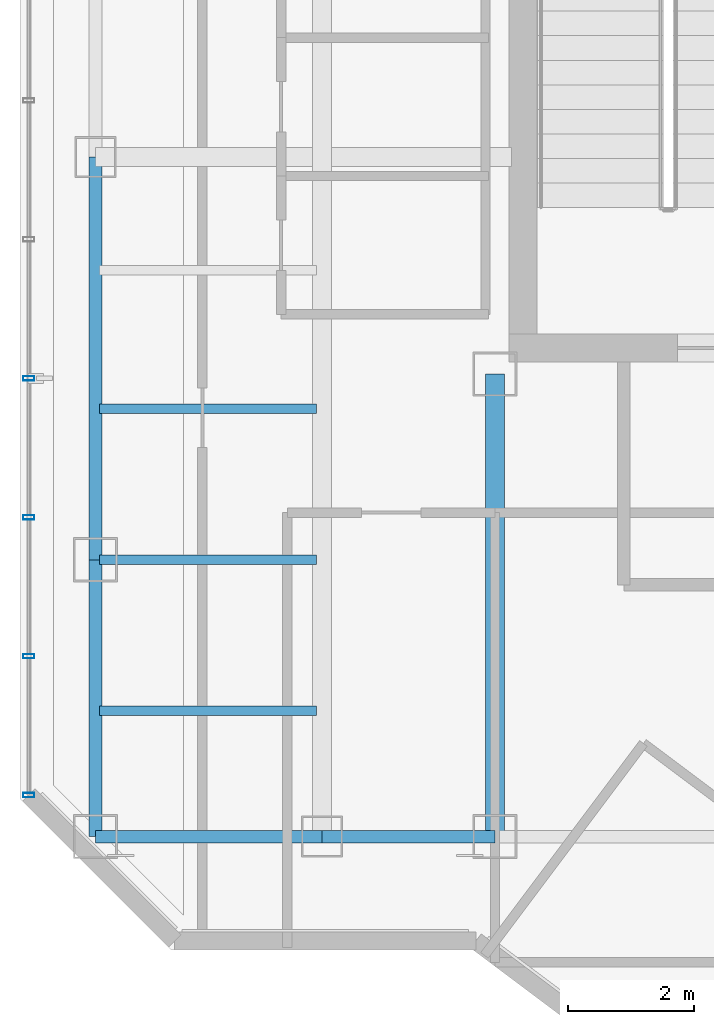
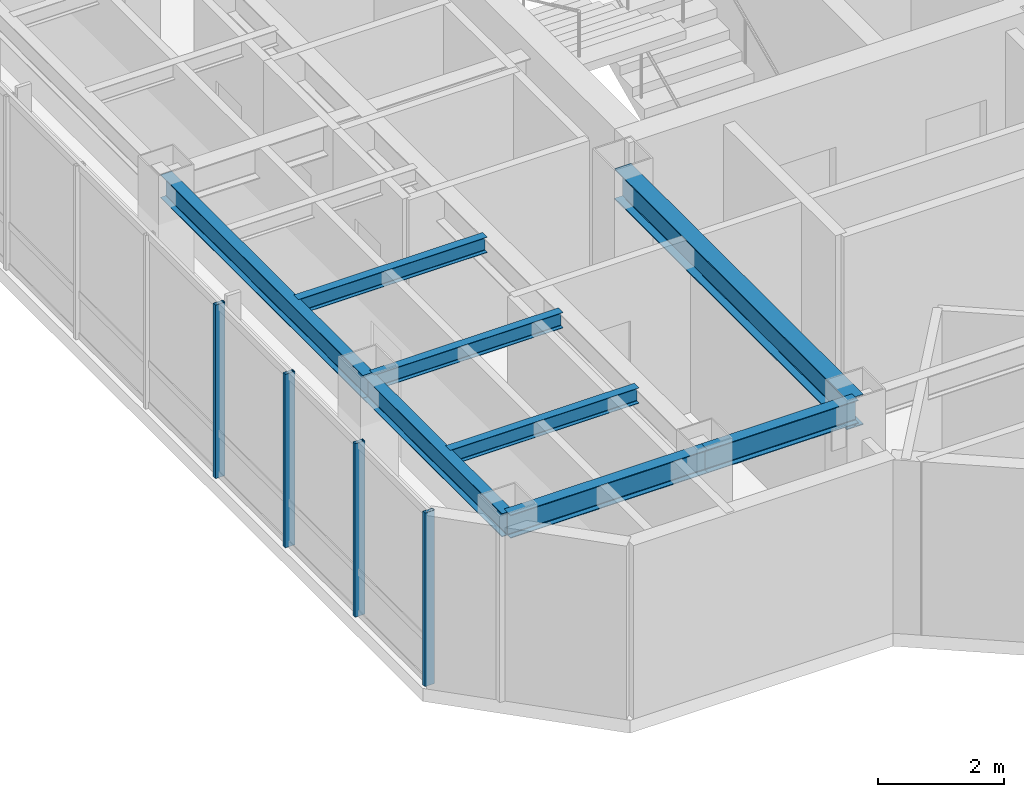
# One storey, part 4 of 25: 8 beams, 4 members, 1 element without a shape of its own.
"""IFC4 building model written with IfcOpenShell, lengths in metres."""

from ifc_helpers import new_model, si_unit, direction, frame, origin, origin_2d, place, context, subcontext, project, spatial, hollow_rectangle, i_section, extrude, material, layer, layer_set, material_profile, profile_set, type_object, element, aggregate, save


model = new_model("IFC4")

# Units and contexts
model_context = context("Model", 3, precision=1e-05, world=origin(), true_north=direction((0.0, 1.0)))
body_context = subcontext(model_context, "Body", "Model", "MODEL_VIEW")
ifc_project = project(units=[si_unit("LENGTHUNIT", "METRE"), si_unit("AREAUNIT", "SQUARE_METRE"), si_unit("VOLUMEUNIT", "CUBIC_METRE"), si_unit("PLANEANGLEUNIT", "RADIAN"), si_unit("MASSUNIT", "GRAM", prefix="KILO")], contexts=[model_context])

# Site, building, storey
site_placement = place(None, origin())
site = spatial("IfcSite", under=ifc_project, at=site_placement, CompositionType="ELEMENT")
building_placement = place(site_placement, origin())
building = spatial("IfcBuilding", under=site, at=building_placement, Name="Hatsunagi Terrace Concourse", CompositionType="ELEMENT")
storey_placement = place(building_placement, frame((0.0, 0.0, 220.35009765625)))
storey = spatial("IfcBuildingStorey", under=building, at=storey_placement, Name="L58", CompositionType="ELEMENT", Elevation=220.35009765625)

# Curtain wall, members
ifc_material_1 = material(Name="Anodised Aluminium Alloy 6063-T5", Category="aluminium")
ifc_layer = layer(ifc_material_1, 0.199951171875)
ifc_layer_set = layer_set([ifc_layer], Name="OfficeZone2_CW04")
curtain_wall_type = type_object("IfcCurtainWallType", Name="OfficeZone2_CW04", PredefinedType="NOTDEFINED", material=ifc_layer_set)
curtain_wall_placement = place(storey_placement, origin())
curtain_wall = element("IfcCurtainWall", 1, at=curtain_wall_placement, inside=storey, type_object=curtain_wall_type, Name="Unitised Curtain Wall CW-04 CW-L58-08", PredefinedType="NOTDEFINED")
ifc_material_2 = material(Name="Anodised Aluminium Alloy 6063-T5", Category="aluminium")
ifc_material_profile_1 = material_profile(ifc_material_2, hollow_rectangle(XDim=0.070068359375, YDim=0.179931640625, WallThickness=0.00390625, at=origin_2d()), Name="ALU-MUL-180x70x4")
ifc_profile_set_1 = profile_set([ifc_material_profile_1], Name="Anodised Aluminium Alloy 6063-T5")
member_type = type_object("IfcMemberType", Name="CurtainWallMullion_180x70", PredefinedType="MULLION", material=ifc_profile_set_1)
member_1_placement = place(storey_placement, frame((18.139892578125, 25.85791015625, 0.0), z_axis=(0.0, 0.0, 1.0), x_axis=(0.0, 1.0, 0.0)))
member_1 = element("IfcMember", 2, at=member_1_placement, type_object=member_type, Name="Curtain Wall Mullion MUL-02", PredefinedType="MULLION", context=body_context, shape_type="SweptSolid", body=[
    extrude(hollow_rectangle(XDim=0.070068359375, YDim=0.179931640625, WallThickness=0.00390625, at=origin_2d()), origin(), (0.0, 0.0, 1.0), 3.349853515625),
])
member_2_placement = place(storey_placement, frame((18.139892578125, 28.06591796875, 0.0), z_axis=(0.0, 0.0, 1.0), x_axis=(0.0, 1.0, 0.0)))
member_2 = element("IfcMember", 3, at=member_2_placement, type_object=member_type, Name="Curtain Wall Mullion MUL-02", PredefinedType="MULLION", context=body_context, shape_type="SweptSolid", body=[
    extrude(hollow_rectangle(XDim=0.070068359375, YDim=0.179931640625, WallThickness=0.00390625, at=origin_2d()), origin(), (0.0, 0.0, 1.0), 3.349853515625),
])
member_3_placement = place(storey_placement, frame((18.139892578125, 30.27490234375, 0.0), z_axis=(0.0, 0.0, 1.0), x_axis=(0.0, 1.0, 0.0)))
member_3 = element("IfcMember", 4, at=member_3_placement, type_object=member_type, Name="Curtain Wall Mullion MUL-02", PredefinedType="MULLION", context=body_context, shape_type="SweptSolid", body=[
    extrude(hollow_rectangle(XDim=0.070068359375, YDim=0.179931640625, WallThickness=0.00390625, at=origin_2d()), origin(), (0.0, 0.0, 1.0), 3.349853515625),
])
member_4_placement = place(storey_placement, frame((18.139892578125, 32.48291015625, 0.0), z_axis=(0.0, 0.0, 1.0), x_axis=(0.0, 1.0, 0.0)))
member_4 = element("IfcMember", 5, at=member_4_placement, type_object=member_type, Name="Curtain Wall Mullion MUL-02", PredefinedType="MULLION", context=body_context, shape_type="SweptSolid", body=[
    extrude(hollow_rectangle(XDim=0.070068359375, YDim=0.179931640625, WallThickness=0.00390625, at=origin_2d()), origin(), (0.0, 0.0, 1.0), 3.349853515625),
])
aggregate(curtain_wall, [member_1, member_2, member_3, member_4])

# Beams
ifc_material_3 = material(Name="Steel SN490B", Category="steel")
ifc_material_profile_2 = material_profile(ifc_material_3, i_section(OverallWidth=0.300048828125, OverallDepth=0.587890625, WebThickness=0.011962890625, FlangeThickness=0.02001953125, FilletRadius=0.01806640625, at=origin_2d()), Name="H-588x300x12x20")
ifc_profile_set_2 = profile_set([ifc_material_profile_2], Name="Steel SN490B")
beam_type_1 = type_object("IfcBeamType", Name="OfficeHighGirder_H_588x300", PredefinedType="BEAM", material=ifc_profile_set_2)
beam_1_placement = place(storey_placement, frame((25.550048828125, 25.199951171875, 3.055908203125), z_axis=(0.0, 1.0, 0.0), x_axis=(-1.0, 0.0, 0.0)))
element("IfcBeam", 6, at=beam_1_placement, inside=storey, type_object=beam_type_1, Name="Beam G-06 BM-L58-K1CA", PredefinedType="BEAM", context=body_context, shape_type="SweptSolid", body=[
    extrude(i_section(OverallWidth=0.300048828125, OverallDepth=0.587890625, WebThickness=0.011962890625, FlangeThickness=0.02001953125, FilletRadius=0.01806640625, at=origin_2d()), origin(), (0.0, 0.0, 1.0), 7.35009765625),
])
ifc_material_4 = material(Name="Steel SN490B", Category="steel")
ifc_material_profile_3 = material_profile(ifc_material_4, i_section(OverallWidth=0.14990234375, OverallDepth=0.300048828125, WebThickness=0.006591796875, FlangeThickness=0.009033203125, FilletRadius=0.010986328125, at=origin_2d()), Name="H-300x150x6.5x9")
ifc_profile_set_3 = profile_set([ifc_material_profile_3], Name="Steel SN490B")
beam_type_2 = type_object("IfcBeamType", Name="OfficeJoist_H_300x150", PredefinedType="JOIST", material=ifc_profile_set_3)
for number, where, z_axis, x_axis, name in (
    (7, (19.264892578125, 27.199951171875, 3.199951171875), (1.0, 0.0, 0.0), (0.0, 1.0, 0.0), "Beam J-03 J-L58-W-19-272"),
    (8, (19.264892578125, 29.60009765625, 3.199951171875), (1.0, 0.0, 0.0), (0.0, 1.0, 0.0), "Beam J-03 J-L58-W-19-296"),
    (9, (19.264892578125, 32.0, 3.199951171875), (1.0, 0.0, 0.0), (0.0, 1.0, 0.0), "Beam J-03 J-L58-W-19-320"),
):
    element("IfcBeam", number, at=place(storey_placement, frame(where, z_axis=z_axis, x_axis=x_axis)), inside=storey, type_object=beam_type_2, Name=name, PredefinedType="JOIST", context=body_context, shape_type="SweptSolid", body=[
        extrude(i_section(OverallWidth=0.14990234375, OverallDepth=0.300048828125, WebThickness=0.006591796875, FlangeThickness=0.009033203125, FilletRadius=0.010986328125, at=origin_2d()), origin(), (0.0, 0.0, 1.0), 3.4501953125),
    ])
ifc_material_5 = material(Name="Steel SN490B", Category="steel")
ifc_material_profile_4 = material_profile(ifc_material_5, i_section(OverallWidth=0.199951171875, OverallDepth=0.449951171875, WebThickness=0.009033203125, FlangeThickness=0.013916015625, FilletRadius=0.01611328125, at=origin_2d()), Name="H-450x200x9x14")
ifc_profile_set_4 = profile_set([ifc_material_profile_4], Name="Steel SN490B")
beam_type_3 = type_object("IfcBeamType", Name="PerimeterSpandrel_H_450x200", PredefinedType="SPANDREL", material=ifc_profile_set_4)
beam_2_placement = place(storey_placement, frame((19.199951171875, 25.199951171875, 3.125), z_axis=(1.0, 0.0, 0.0), x_axis=(0.0, 1.0, 0.0)))
element("IfcBeam", 10, at=beam_2_placement, inside=storey, type_object=beam_type_3, Name="Beam SP-02 BM-L58-WS-19", PredefinedType="SPANDREL", context=body_context, shape_type="SweptSolid", body=[
    extrude(i_section(OverallWidth=0.199951171875, OverallDepth=0.449951171875, WebThickness=0.009033203125, FlangeThickness=0.013916015625, FilletRadius=0.01611328125, at=origin_2d()), origin(), (0.0, 0.0, 1.0), 3.60009765625),
])
beam_3_placement = place(storey_placement, frame((22.800048828125, 25.199951171875, 3.125), z_axis=(1.0, 0.0, 0.0), x_axis=(0.0, 1.0, 0.0)))
element("IfcBeam", 11, at=beam_3_placement, inside=storey, type_object=beam_type_3, Name="Beam SP-02 BM-L58-WS-22", PredefinedType="SPANDREL", context=body_context, shape_type="SweptSolid", body=[
    extrude(i_section(OverallWidth=0.199951171875, OverallDepth=0.449951171875, WebThickness=0.009033203125, FlangeThickness=0.013916015625, FilletRadius=0.01611328125, at=origin_2d()), origin(), (0.0, 0.0, 1.0), 2.75),
])
beam_4_placement = place(storey_placement, frame((19.199951171875, 25.199951171875, 3.125), z_axis=(0.0, 1.0, 0.0), x_axis=(-1.0, 0.0, 0.0)))
element("IfcBeam", 12, at=beam_4_placement, inside=storey, type_object=beam_type_3, Name="Beam SP-02 BM-L58-NS-19-25", PredefinedType="SPANDREL", context=body_context, shape_type="SweptSolid", body=[
    extrude(i_section(OverallWidth=0.199951171875, OverallDepth=0.449951171875, WebThickness=0.009033203125, FlangeThickness=0.013916015625, FilletRadius=0.01611328125, at=origin_2d()), origin(), (0.0, 0.0, 1.0), 4.400146484375),
])
beam_5_placement = place(storey_placement, frame((19.199951171875, 29.60009765625, 3.125), z_axis=(0.0, 1.0, 0.0), x_axis=(-1.0, 0.0, 0.0)))
element("IfcBeam", 13, at=beam_5_placement, inside=storey, type_object=beam_type_3, Name="Beam SP-02 BM-L58-NS-19-29", PredefinedType="SPANDREL", context=body_context, shape_type="SweptSolid", body=[
    extrude(i_section(OverallWidth=0.199951171875, OverallDepth=0.449951171875, WebThickness=0.009033203125, FlangeThickness=0.013916015625, FilletRadius=0.01611328125, at=origin_2d()), origin(), (0.0, 0.0, 1.0), 6.39990234375),
])

save(model, "model.ifc")
